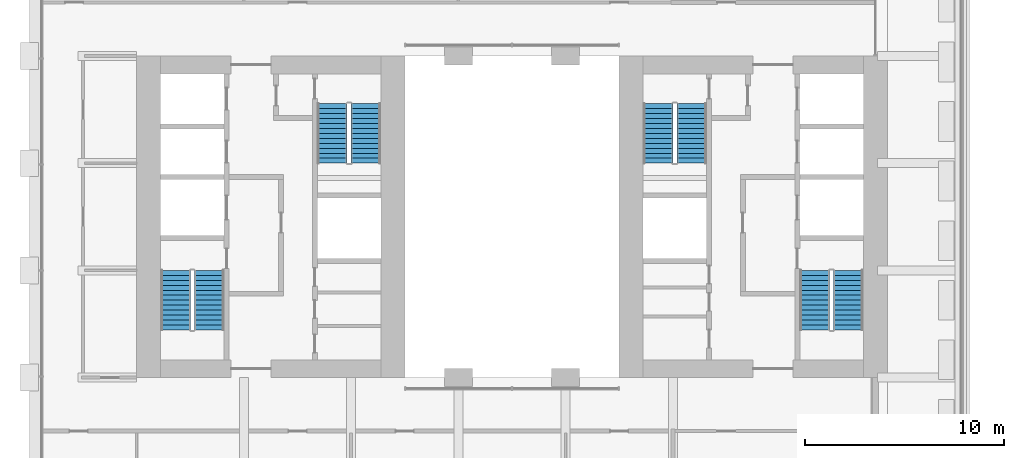
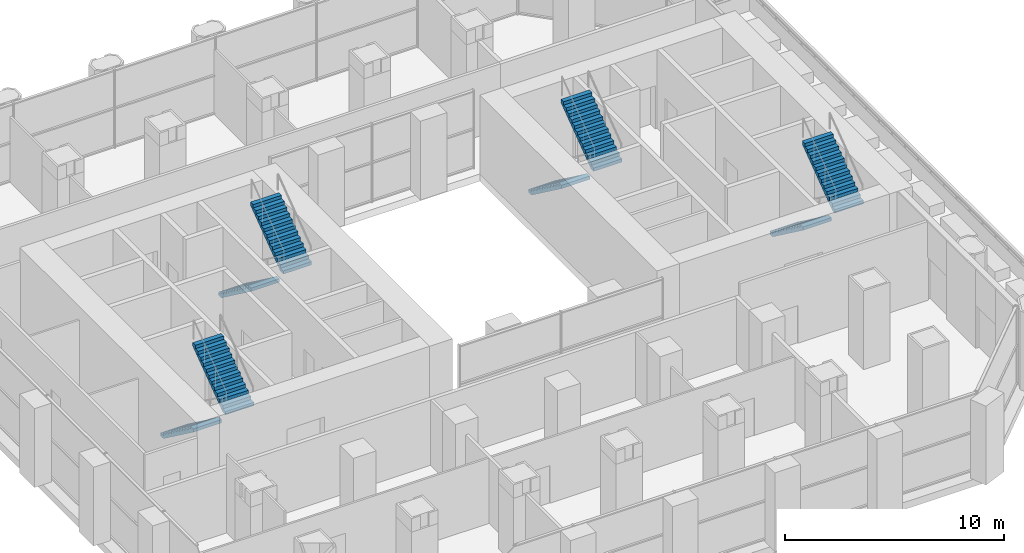
# One storey, part 33 of 42: 8 stair flights, 4 elements without a shape of their own.
"""IFC4 building model written with IfcOpenShell, lengths in metres."""

from ifc_helpers import new_model, si_unit, direction, frame, origin, place, context, subcontext, project, spatial, polyline, outline, extrude, material, type_object, element, aggregate, save


model = new_model("IFC4")

# Units and contexts
model_context = context("Model", 3, precision=1e-05, world=origin(), true_north=direction((0.0, 1.0)))
body_context = subcontext(model_context, "Body", "Model", "MODEL_VIEW")
ifc_project = project(units=[si_unit("LENGTHUNIT", "METRE"), si_unit("AREAUNIT", "SQUARE_METRE"), si_unit("VOLUMEUNIT", "CUBIC_METRE"), si_unit("PLANEANGLEUNIT", "RADIAN"), si_unit("MASSUNIT", "GRAM", prefix="KILO")], contexts=[model_context])

# Site, building, storey
site_placement = place(None, origin())
site = spatial("IfcSite", under=ifc_project, at=site_placement, CompositionType="ELEMENT")
building_placement = place(site_placement, origin())
building = spatial("IfcBuilding", under=site, at=building_placement, Name="Tabaq Tower and Sports Hall", CompositionType="ELEMENT")
storey_placement = place(building_placement, frame((0.0, 0.0, 19.800048828125)))
storey = spatial("IfcBuildingStorey", under=building, at=storey_placement, Name="L03", CompositionType="ELEMENT", Elevation=19.800048828125)

# Stair, stair flights
ifc_material_1 = material(Name="Concrete C40/50", Category="concrete")
stair_type = type_object("IfcStairType", Name="Exit stair", PredefinedType="HALF_TURN_STAIR", material=ifc_material_1)
stair_1_placement = place(storey_placement, origin())
stair_1 = element("IfcStair", 1, at=stair_1_placement, inside=storey, type_object=stair_type, Name="L03 Exit stair ST1", PredefinedType="HALF_TURN_STAIR")
ifc_material_2 = material(Name="Concrete C40/50", Category="concrete")
stair_flight_type = type_object("IfcStairFlightType", Name="Exit stair flight", PredefinedType="STRAIGHT", material=ifc_material_2)
stair_flight_1_placement = place(storey_placement, frame((7.35009765625, 21.60009765625, 0.0), z_axis=(0.0, 0.0, 1.0), x_axis=(0.0, -1.0, 0.0)))
stair_flight_1 = element("IfcStairFlight", 2, at=stair_flight_1_placement, type_object=stair_flight_type, Name="ST1 flight 1", NumberOfRisers=13, NumberOfTreads=12, PredefinedType="STRAIGHT", RiserHeight=0.184615385, TreadLength=0.25, context=body_context, shape_type="SweptSolid", body=[
    extrude(outline(polyline([(0.0, 0.0), (0.0, 0.1845703125), (0.25, 0.1845703125), (0.25, 0.369140625), (0.5, 0.369140625), (0.5, 0.553955078125), (0.75, 0.553955078125), (0.75, 0.738525390625), (1.0, 0.738525390625), (1.0, 0.923095703125), (1.25, 0.923095703125), (1.25, 1.107666015625), (1.5, 1.107666015625), (1.5, 1.292236328125), (1.75, 1.292236328125), (1.75, 1.476806640625), (2.0, 1.476806640625), (2.0, 1.66162109375), (2.25, 1.66162109375), (2.25, 1.84619140625), (2.5, 1.84619140625), (2.5, 2.03076171875), (2.75, 2.03076171875), (2.75, 2.21533203125), (3.0, 2.21533203125), (3.0, 2.39990234375), (3.0, 2.029052734375), (0.25244140625, 0.0), (0.0, 0.0)])), frame((0.0, 0.75, 0.0), z_axis=(0.0, -1.0, 0.0), x_axis=(1.0, 0.0, 0.0)), (0.0, 0.0, 1.0), 1.5),
])
stair_flight_2_placement = place(storey_placement, frame((9.050048828125, 18.60009765625, 2.39990234375), z_axis=(0.0, 0.0, 1.0), x_axis=(0.0, 1.0, 0.0)))
stair_flight_2 = element("IfcStairFlight", 3, at=stair_flight_2_placement, type_object=stair_flight_type, Name="ST1 flight 2", NumberOfRisers=13, NumberOfTreads=12, PredefinedType="STRAIGHT", RiserHeight=0.184615385, TreadLength=0.25, context=body_context, shape_type="SweptSolid", body=[
    extrude(outline(polyline([(0.0, 0.0), (0.0, 0.1845703125), (0.25, 0.1845703125), (0.25, 0.369140625), (0.5, 0.369140625), (0.5, 0.553955078125), (0.75, 0.553955078125), (0.75, 0.738525390625), (1.0, 0.738525390625), (1.0, 0.923095703125), (1.25, 0.923095703125), (1.25, 1.107666015625), (1.5, 1.107666015625), (1.5, 1.292236328125), (1.75, 1.292236328125), (1.75, 1.476806640625), (2.0, 1.476806640625), (2.0, 1.66162109375), (2.25, 1.66162109375), (2.25, 1.84619140625), (2.5, 1.84619140625), (2.5, 2.03076171875), (2.75, 2.03076171875), (2.75, 2.21533203125), (3.0, 2.21533203125), (3.0, 2.39990234375), (3.0, 2.029052734375), (0.25244140625, 0.0), (0.0, 0.0)])), frame((0.0, 0.75, 0.0), z_axis=(0.0, -1.0, 0.0), x_axis=(1.0, 0.0, 0.0)), (0.0, 0.0, 1.0), 1.5),
])
aggregate(stair_1, [stair_flight_1, stair_flight_2])

stair_2_placement = place(storey_placement, origin())
stair_2 = element("IfcStair", 4, at=stair_2_placement, inside=storey, type_object=stair_type, Name="L03 Exit stair ST2", PredefinedType="HALF_TURN_STAIR")
stair_flight_3_placement = place(storey_placement, frame((15.25, 30.0, 0.0), z_axis=(0.0, 0.0, 1.0), x_axis=(0.0, -1.0, 0.0)))
stair_flight_3 = element("IfcStairFlight", 5, at=stair_flight_3_placement, type_object=stair_flight_type, Name="ST2 flight 1", NumberOfRisers=13, NumberOfTreads=12, PredefinedType="STRAIGHT", RiserHeight=0.184615385, TreadLength=0.25, context=body_context, shape_type="SweptSolid", body=[
    extrude(outline(polyline([(0.0, 0.0), (0.0, 0.1845703125), (0.25, 0.1845703125), (0.25, 0.369140625), (0.5, 0.369140625), (0.5, 0.553955078125), (0.75, 0.553955078125), (0.75, 0.738525390625), (1.0, 0.738525390625), (1.0, 0.923095703125), (1.25, 0.923095703125), (1.25, 1.107666015625), (1.5, 1.107666015625), (1.5, 1.292236328125), (1.75, 1.292236328125), (1.75, 1.476806640625), (2.0, 1.476806640625), (2.0, 1.66162109375), (2.25, 1.66162109375), (2.25, 1.84619140625), (2.5, 1.84619140625), (2.5, 2.03076171875), (2.75, 2.03076171875), (2.75, 2.21533203125), (3.0, 2.21533203125), (3.0, 2.39990234375), (3.0, 2.029052734375), (0.25244140625, 0.0), (0.0, 0.0)])), frame((0.0, 0.75, 0.0), z_axis=(0.0, -1.0, 0.0), x_axis=(1.0, 0.0, 0.0)), (0.0, 0.0, 1.0), 1.5),
])
stair_flight_4_placement = place(storey_placement, frame((16.949951171875, 27.0, 2.39990234375), z_axis=(0.0, 0.0, 1.0), x_axis=(0.0, 1.0, 0.0)))
stair_flight_4 = element("IfcStairFlight", 6, at=stair_flight_4_placement, type_object=stair_flight_type, Name="ST2 flight 2", NumberOfRisers=13, NumberOfTreads=12, PredefinedType="STRAIGHT", RiserHeight=0.184615385, TreadLength=0.25, context=body_context, shape_type="SweptSolid", body=[
    extrude(outline(polyline([(0.0, 0.0), (0.0, 0.1845703125), (0.25, 0.1845703125), (0.25, 0.369140625), (0.5, 0.369140625), (0.5, 0.553955078125), (0.75, 0.553955078125), (0.75, 0.738525390625), (1.0, 0.738525390625), (1.0, 0.923095703125), (1.25, 0.923095703125), (1.25, 1.107666015625), (1.5, 1.107666015625), (1.5, 1.292236328125), (1.75, 1.292236328125), (1.75, 1.476806640625), (2.0, 1.476806640625), (2.0, 1.66162109375), (2.25, 1.66162109375), (2.25, 1.84619140625), (2.5, 1.84619140625), (2.5, 2.03076171875), (2.75, 2.03076171875), (2.75, 2.21533203125), (3.0, 2.21533203125), (3.0, 2.39990234375), (3.0, 2.029052734375), (0.25244140625, 0.0), (0.0, 0.0)])), frame((0.0, 0.75, 0.0), z_axis=(0.0, -1.0, 0.0), x_axis=(1.0, 0.0, 0.0)), (0.0, 0.0, 1.0), 1.5),
])
aggregate(stair_2, [stair_flight_3, stair_flight_4])

stair_3_placement = place(storey_placement, origin())
stair_3 = element("IfcStair", 7, at=stair_3_placement, inside=storey, type_object=stair_type, Name="L03 Exit stair ST3", PredefinedType="HALF_TURN_STAIR")
stair_flight_5_placement = place(storey_placement, frame((39.550048828125, 21.60009765625, 0.0), z_axis=(0.0, 0.0, 1.0), x_axis=(0.0, -1.0, 0.0)))
stair_flight_5 = element("IfcStairFlight", 8, at=stair_flight_5_placement, type_object=stair_flight_type, Name="ST3 flight 1", NumberOfRisers=13, NumberOfTreads=12, PredefinedType="STRAIGHT", RiserHeight=0.184615385, TreadLength=0.25, context=body_context, shape_type="SweptSolid", body=[
    extrude(outline(polyline([(0.0, 0.0), (0.0, 0.1845703125), (0.25, 0.1845703125), (0.25, 0.369140625), (0.5, 0.369140625), (0.5, 0.553955078125), (0.75, 0.553955078125), (0.75, 0.738525390625), (1.0, 0.738525390625), (1.0, 0.923095703125), (1.25, 0.923095703125), (1.25, 1.107666015625), (1.5, 1.107666015625), (1.5, 1.292236328125), (1.75, 1.292236328125), (1.75, 1.476806640625), (2.0, 1.476806640625), (2.0, 1.66162109375), (2.25, 1.66162109375), (2.25, 1.84619140625), (2.5, 1.84619140625), (2.5, 2.03076171875), (2.75, 2.03076171875), (2.75, 2.21533203125), (3.0, 2.21533203125), (3.0, 2.39990234375), (3.0, 2.029052734375), (0.25244140625, 0.0), (0.0, 0.0)])), frame((0.0, 0.75, 0.0), z_axis=(0.0, -1.0, 0.0), x_axis=(1.0, 0.0, 0.0)), (0.0, 0.0, 1.0), 1.5),
])
stair_flight_6_placement = place(storey_placement, frame((41.25, 18.60009765625, 2.39990234375), z_axis=(0.0, 0.0, 1.0), x_axis=(0.0, 1.0, 0.0)))
stair_flight_6 = element("IfcStairFlight", 9, at=stair_flight_6_placement, type_object=stair_flight_type, Name="ST3 flight 2", NumberOfRisers=13, NumberOfTreads=12, PredefinedType="STRAIGHT", RiserHeight=0.184615385, TreadLength=0.25, context=body_context, shape_type="SweptSolid", body=[
    extrude(outline(polyline([(0.0, 0.0), (0.0, 0.1845703125), (0.25, 0.1845703125), (0.25, 0.369140625), (0.5, 0.369140625), (0.5, 0.553955078125), (0.75, 0.553955078125), (0.75, 0.738525390625), (1.0, 0.738525390625), (1.0, 0.923095703125), (1.25, 0.923095703125), (1.25, 1.107666015625), (1.5, 1.107666015625), (1.5, 1.292236328125), (1.75, 1.292236328125), (1.75, 1.476806640625), (2.0, 1.476806640625), (2.0, 1.66162109375), (2.25, 1.66162109375), (2.25, 1.84619140625), (2.5, 1.84619140625), (2.5, 2.03076171875), (2.75, 2.03076171875), (2.75, 2.21533203125), (3.0, 2.21533203125), (3.0, 2.39990234375), (3.0, 2.029052734375), (0.25244140625, 0.0), (0.0, 0.0)])), frame((0.0, 0.75, 0.0), z_axis=(0.0, -1.0, 0.0), x_axis=(1.0, 0.0, 0.0)), (0.0, 0.0, 1.0), 1.5),
])
aggregate(stair_3, [stair_flight_5, stair_flight_6])

stair_4_placement = place(storey_placement, origin())
stair_4 = element("IfcStair", 10, at=stair_4_placement, inside=storey, type_object=stair_type, Name="L03 Exit stair ST4", PredefinedType="HALF_TURN_STAIR")
stair_flight_7_placement = place(storey_placement, frame((31.64990234375, 30.0, 0.0), z_axis=(0.0, 0.0, 1.0), x_axis=(0.0, -1.0, 0.0)))
stair_flight_7 = element("IfcStairFlight", 11, at=stair_flight_7_placement, type_object=stair_flight_type, Name="ST4 flight 1", NumberOfRisers=13, NumberOfTreads=12, PredefinedType="STRAIGHT", RiserHeight=0.184615385, TreadLength=0.25, context=body_context, shape_type="SweptSolid", body=[
    extrude(outline(polyline([(0.0, 0.0), (0.0, 0.1845703125), (0.25, 0.1845703125), (0.25, 0.369140625), (0.5, 0.369140625), (0.5, 0.553955078125), (0.75, 0.553955078125), (0.75, 0.738525390625), (1.0, 0.738525390625), (1.0, 0.923095703125), (1.25, 0.923095703125), (1.25, 1.107666015625), (1.5, 1.107666015625), (1.5, 1.292236328125), (1.75, 1.292236328125), (1.75, 1.476806640625), (2.0, 1.476806640625), (2.0, 1.66162109375), (2.25, 1.66162109375), (2.25, 1.84619140625), (2.5, 1.84619140625), (2.5, 2.03076171875), (2.75, 2.03076171875), (2.75, 2.21533203125), (3.0, 2.21533203125), (3.0, 2.39990234375), (3.0, 2.029052734375), (0.25244140625, 0.0), (0.0, 0.0)])), frame((0.0, 0.75, 0.0), z_axis=(0.0, -1.0, 0.0), x_axis=(1.0, 0.0, 0.0)), (0.0, 0.0, 1.0), 1.5),
])
stair_flight_8_placement = place(storey_placement, frame((33.35009765625, 27.0, 2.39990234375), z_axis=(0.0, 0.0, 1.0), x_axis=(0.0, 1.0, 0.0)))
stair_flight_8 = element("IfcStairFlight", 12, at=stair_flight_8_placement, type_object=stair_flight_type, Name="ST4 flight 2", NumberOfRisers=13, NumberOfTreads=12, PredefinedType="STRAIGHT", RiserHeight=0.184615385, TreadLength=0.25, context=body_context, shape_type="SweptSolid", body=[
    extrude(outline(polyline([(0.0, 0.0), (0.0, 0.1845703125), (0.25, 0.1845703125), (0.25, 0.369140625), (0.5, 0.369140625), (0.5, 0.553955078125), (0.75, 0.553955078125), (0.75, 0.738525390625), (1.0, 0.738525390625), (1.0, 0.923095703125), (1.25, 0.923095703125), (1.25, 1.107666015625), (1.5, 1.107666015625), (1.5, 1.292236328125), (1.75, 1.292236328125), (1.75, 1.476806640625), (2.0, 1.476806640625), (2.0, 1.66162109375), (2.25, 1.66162109375), (2.25, 1.84619140625), (2.5, 1.84619140625), (2.5, 2.03076171875), (2.75, 2.03076171875), (2.75, 2.21533203125), (3.0, 2.21533203125), (3.0, 2.39990234375), (3.0, 2.029052734375), (0.25244140625, 0.0), (0.0, 0.0)])), frame((0.0, 0.75, 0.0), z_axis=(0.0, -1.0, 0.0), x_axis=(1.0, 0.0, 0.0)), (0.0, 0.0, 1.0), 1.5),
])
aggregate(stair_4, [stair_flight_7, stair_flight_8])

save(model, "model.ifc")
